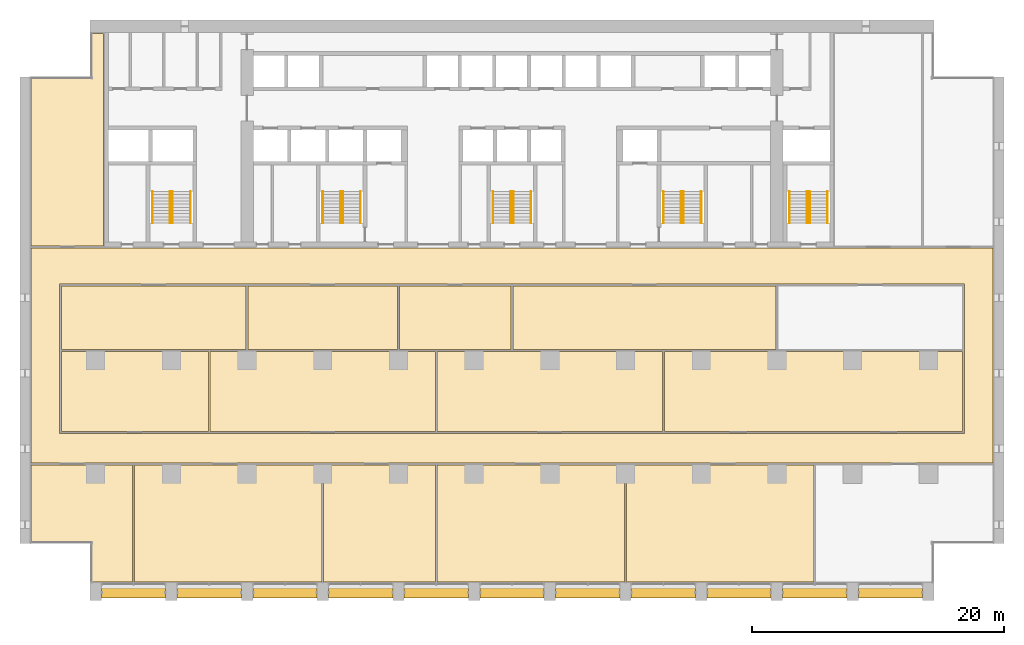
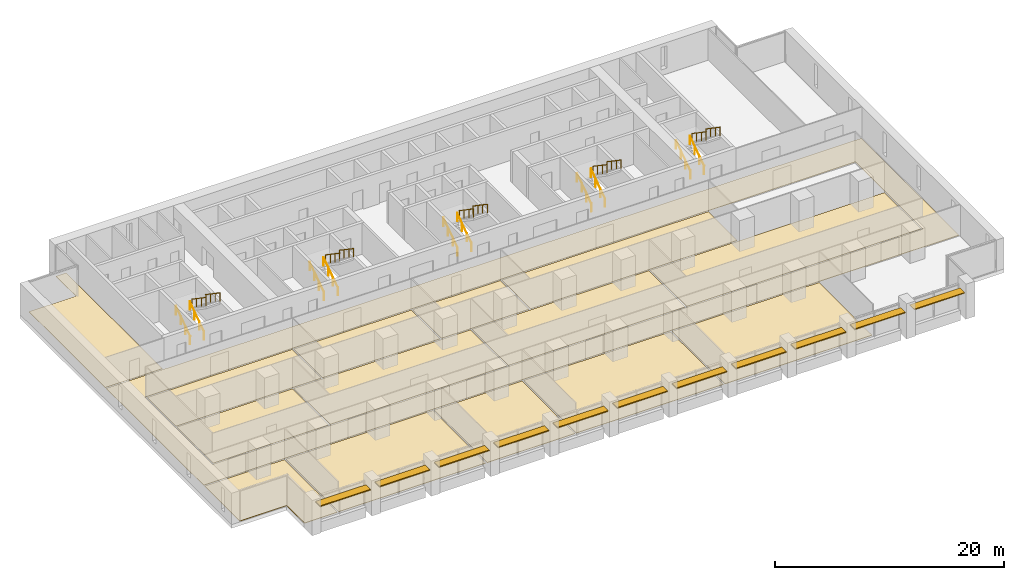
# One storey, part 17 of 18: 20 railings, 15 coverings, 11 shading devices, 5 elements without a shape of their own.
"""IFC4 building model written with IfcOpenShell, lengths in metres."""

from ifc_helpers import new_model, si_unit, direction, frame, origin, origin_2d, place, context, subcontext, project, spatial, polyline, rectangle, circle, outline, extrude, material, layer, layer_set, material_profile, profile_set, type_object, element, aggregate, save


model = new_model("IFC4")

# Units and contexts
model_context = context("Model", 3, precision=1e-05, world=origin(), true_north=direction((0.0, 1.0)))
body_context = subcontext(model_context, "Body", "Model", "MODEL_VIEW")
ifc_project = project(units=[si_unit("LENGTHUNIT", "METRE"), si_unit("AREAUNIT", "SQUARE_METRE"), si_unit("VOLUMEUNIT", "CUBIC_METRE"), si_unit("PLANEANGLEUNIT", "RADIAN"), si_unit("MASSUNIT", "GRAM", prefix="KILO")], contexts=[model_context])

# Site, building, storey
site_placement = place(None, origin())
site = spatial("IfcSite", under=ifc_project, at=site_placement, CompositionType="ELEMENT")
building_placement = place(site_placement, origin())
building = spatial("IfcBuilding", under=site, at=building_placement, Name="Calvaro Tower", CompositionType="ELEMENT")
storey_placement = place(building_placement, frame((0.0, 0.0, 82.5)))
storey = spatial("IfcBuildingStorey", under=building, at=storey_placement, Name="L20", CompositionType="ELEMENT", Elevation=82.5)

# Shading devices
ifc_material_1 = material(Name="Anodised aluminium", Category="aluminium")
ifc_material_profile = material_profile(ifc_material_1, rectangle(XDim=0.800048828125, YDim=0.10009765625, at=origin_2d()), Name="Brise-soleil blade 800 x 100")
ifc_profile_set = profile_set([ifc_material_profile], Name="Anodised aluminium")
shading_device_type = type_object("IfcShadingDeviceType", Name="Brise-soleil blade 800 x 100", PredefinedType="JALOUSIE", material=ifc_profile_set)
for number, where, z_axis, x_axis, name in (
    (1, (6.449951171875, 0.60009765625, 2.300048828125), (1.0, 0.0, 0.0), (0.0, 1.0, 0.0), "Brise-soleil blade 1"),
    (2, (12.449951171875, 0.60009765625, 2.300048828125), (1.0, 0.0, 0.0), (0.0, 1.0, 0.0), "Brise-soleil blade 2"),
    (3, (18.449951171875, 0.60009765625, 2.300048828125), (1.0, 0.0, 0.0), (0.0, 1.0, 0.0), "Brise-soleil blade 3"),
    (4, (24.449951171875, 0.60009765625, 2.300048828125), (1.0, 0.0, 0.0), (0.0, 1.0, 0.0), "Brise-soleil blade 4"),
    (5, (30.449951171875, 0.60009765625, 2.300048828125), (1.0, 0.0, 0.0), (0.0, 1.0, 0.0), "Brise-soleil blade 5"),
    (6, (36.449951171875, 0.60009765625, 2.300048828125), (1.0, 0.0, 0.0), (0.0, 1.0, 0.0), "Brise-soleil blade 6"),
    (7, (42.449951171875, 0.60009765625, 2.300048828125), (1.0, 0.0, 0.0), (0.0, 1.0, 0.0), "Brise-soleil blade 7"),
    (8, (48.449951171875, 0.60009765625, 2.300048828125), (1.0, 0.0, 0.0), (0.0, 1.0, 0.0), "Brise-soleil blade 8"),
    (9, (54.449951171875, 0.60009765625, 2.300048828125), (1.0, 0.0, 0.0), (0.0, 1.0, 0.0), "Brise-soleil blade 9"),
    (10, (60.449951171875, 0.60009765625, 2.300048828125), (1.0, 0.0, 0.0), (0.0, 1.0, 0.0), "Brise-soleil blade 10"),
    (11, (66.449951171875, 0.60009765625, 2.300048828125), (1.0, 0.0, 0.0), (0.0, 1.0, 0.0), "Brise-soleil blade 11"),
):
    element("IfcShadingDevice", number, at=place(storey_placement, frame(where, z_axis=z_axis, x_axis=x_axis)), inside=storey, type_object=shading_device_type, Name=name, PredefinedType="JALOUSIE", context=body_context, shape_type="SweptSolid", body=[
        extrude(rectangle(XDim=0.800048828125, YDim=0.10009765625, at=origin_2d()), origin(), (0.0, 0.0, 1.0), 5.10009765625),
    ])

# Coverings
ifc_material_2 = material(Name="Cement screed with carpet tile finish")
ifc_layer = layer(ifc_material_2, 0.050048828125)
ifc_layer_set = layer_set([ifc_layer], Name="Cement screed with carpet tile finish")
covering_type = type_object("IfcCoveringType", Name="Floor finish 50", PredefinedType="FLOORING", material=ifc_layer_set)
covering_1_placement = place(storey_placement, origin())
element("IfcCovering", 12, at=covering_1_placement, inside=storey, type_object=covering_type, Name="Floor finish 14.01", PredefinedType="FLOORING", context=body_context, shape_type="SweptSolid", body=[
    extrude(outline(polyline([(0.8701171875, 10.8701171875), (0.8701171875, 27.929931640625), (77.1298828125, 27.929931640625), (77.1298828125, 10.8701171875), (0.8701171875, 10.8701171875)]), holes=[polyline([(74.8701171875, 13.22998046875), (74.8701171875, 25.070068359375), (3.1298828125, 25.070068359375), (3.1298828125, 13.22998046875), (74.8701171875, 13.22998046875)])]), origin(), (0.0, 0.0, 1.0), 0.050048828125),
])
covering_2_placement = place(storey_placement, origin())
element("IfcCovering", 13, at=covering_2_placement, inside=storey, type_object=covering_type, Name="Floor finish 14.07", PredefinedType="FLOORING", context=body_context, shape_type="SweptSolid", body=[
    extrude(outline(polyline([(8.929931640625, 10.72998046875), (8.929931640625, 1.469970703125), (5.6201171875, 1.469970703125), (5.6201171875, 4.570068359375), (0.8701171875, 4.570068359375), (0.8701171875, 10.72998046875), (8.929931640625, 10.72998046875)])), origin(), (0.0, 0.0, 1.0), 0.050048828125),
])
covering_3_placement = place(storey_placement, origin())
element("IfcCovering", 14, at=covering_3_placement, inside=storey, type_object=covering_type, Name="Floor finish 14.02", PredefinedType="FLOORING", context=body_context, shape_type="SweptSolid", body=[
    extrude(outline(polyline([(9.070068359375, 10.72998046875), (23.929931640625, 10.72998046875), (23.929931640625, 1.469970703125), (9.070068359375, 1.469970703125), (9.070068359375, 10.72998046875)])), origin(), (0.0, 0.0, 1.0), 0.050048828125),
])
covering_4_placement = place(storey_placement, origin())
element("IfcCovering", 15, at=covering_4_placement, inside=storey, type_object=covering_type, Name="Floor finish 14.03", PredefinedType="FLOORING", context=body_context, shape_type="SweptSolid", body=[
    extrude(outline(polyline([(24.070068359375, 10.72998046875), (32.929931640625, 10.72998046875), (32.929931640625, 1.469970703125), (24.070068359375, 1.469970703125), (24.070068359375, 10.72998046875)])), origin(), (0.0, 0.0, 1.0), 0.050048828125),
])
covering_5_placement = place(storey_placement, origin())
element("IfcCovering", 16, at=covering_5_placement, inside=storey, type_object=covering_type, Name="Floor finish 14.04", PredefinedType="FLOORING", context=body_context, shape_type="SweptSolid", body=[
    extrude(outline(polyline([(33.070068359375, 10.72998046875), (47.929931640625, 10.72998046875), (47.929931640625, 1.469970703125), (33.070068359375, 1.469970703125), (33.070068359375, 10.72998046875)])), origin(), (0.0, 0.0, 1.0), 0.050048828125),
])
covering_6_placement = place(storey_placement, origin())
element("IfcCovering", 17, at=covering_6_placement, inside=storey, type_object=covering_type, Name="Floor finish 14.05", PredefinedType="FLOORING", context=body_context, shape_type="SweptSolid", body=[
    extrude(outline(polyline([(48.070068359375, 10.72998046875), (62.929931640625, 10.72998046875), (62.929931640625, 1.469970703125), (48.070068359375, 1.469970703125), (48.070068359375, 10.72998046875)])), origin(), (0.0, 0.0, 1.0), 0.050048828125),
])
covering_7_placement = place(storey_placement, origin())
element("IfcCovering", 18, at=covering_7_placement, inside=storey, type_object=covering_type, Name="Floor finish 14.08", PredefinedType="FLOORING", context=body_context, shape_type="SweptSolid", body=[
    extrude(outline(polyline([(3.27001953125, 13.3701171875), (3.27001953125, 19.72998046875), (14.929931640625, 19.72998046875), (14.929931640625, 13.3701171875), (3.27001953125, 13.3701171875)])), origin(), (0.0, 0.0, 1.0), 0.050048828125),
])
covering_8_placement = place(storey_placement, origin())
element("IfcCovering", 19, at=covering_8_placement, inside=storey, type_object=covering_type, Name="Floor finish 14.09", PredefinedType="FLOORING", context=body_context, shape_type="SweptSolid", body=[
    extrude(outline(polyline([(15.070068359375, 13.3701171875), (15.070068359375, 19.72998046875), (32.929931640625, 19.72998046875), (32.929931640625, 13.3701171875), (15.070068359375, 13.3701171875)])), origin(), (0.0, 0.0, 1.0), 0.050048828125),
])
covering_9_placement = place(storey_placement, origin())
element("IfcCovering", 20, at=covering_9_placement, inside=storey, type_object=covering_type, Name="Floor finish 14.10", PredefinedType="FLOORING", context=body_context, shape_type="SweptSolid", body=[
    extrude(outline(polyline([(33.070068359375, 13.3701171875), (33.070068359375, 19.72998046875), (50.929931640625, 19.72998046875), (50.929931640625, 13.3701171875), (33.070068359375, 13.3701171875)])), origin(), (0.0, 0.0, 1.0), 0.050048828125),
])
covering_10_placement = place(storey_placement, origin())
element("IfcCovering", 21, at=covering_10_placement, inside=storey, type_object=covering_type, Name="Floor finish 14.11", PredefinedType="FLOORING", context=body_context, shape_type="SweptSolid", body=[
    extrude(outline(polyline([(51.070068359375, 13.3701171875), (51.070068359375, 19.72998046875), (74.72998046875, 19.72998046875), (74.72998046875, 13.3701171875), (51.070068359375, 13.3701171875)])), origin(), (0.0, 0.0, 1.0), 0.050048828125),
])
covering_11_placement = place(storey_placement, origin())
element("IfcCovering", 22, at=covering_11_placement, inside=storey, type_object=covering_type, Name="Floor finish 14.12", PredefinedType="FLOORING", context=body_context, shape_type="SweptSolid", body=[
    extrude(outline(polyline([(3.27001953125, 19.8701171875), (3.27001953125, 24.929931640625), (17.929931640625, 24.929931640625), (17.929931640625, 19.8701171875), (3.27001953125, 19.8701171875)])), origin(), (0.0, 0.0, 1.0), 0.050048828125),
])
covering_12_placement = place(storey_placement, origin())
element("IfcCovering", 23, at=covering_12_placement, inside=storey, type_object=covering_type, Name="Floor finish 14.13", PredefinedType="FLOORING", context=body_context, shape_type="SweptSolid", body=[
    extrude(outline(polyline([(18.070068359375, 19.8701171875), (18.070068359375, 24.929931640625), (29.929931640625, 24.929931640625), (29.929931640625, 19.8701171875), (18.070068359375, 19.8701171875)])), origin(), (0.0, 0.0, 1.0), 0.050048828125),
])
covering_13_placement = place(storey_placement, origin())
element("IfcCovering", 24, at=covering_13_placement, inside=storey, type_object=covering_type, Name="Floor finish 14.14", PredefinedType="FLOORING", context=body_context, shape_type="SweptSolid", body=[
    extrude(outline(polyline([(30.070068359375, 19.8701171875), (30.070068359375, 24.929931640625), (38.929931640625, 24.929931640625), (38.929931640625, 19.8701171875), (30.070068359375, 19.8701171875)])), origin(), (0.0, 0.0, 1.0), 0.050048828125),
])
covering_14_placement = place(storey_placement, origin())
element("IfcCovering", 25, at=covering_14_placement, inside=storey, type_object=covering_type, Name="Floor finish 14.15", PredefinedType="FLOORING", context=body_context, shape_type="SweptSolid", body=[
    extrude(outline(polyline([(39.070068359375, 19.8701171875), (39.070068359375, 24.929931640625), (59.929931640625, 24.929931640625), (59.929931640625, 19.8701171875), (39.070068359375, 19.8701171875)])), origin(), (0.0, 0.0, 1.0), 0.050048828125),
])
covering_15_placement = place(storey_placement, origin())
element("IfcCovering", 26, at=covering_15_placement, inside=storey, type_object=covering_type, Name="Floor finish 14.18", PredefinedType="FLOORING", context=body_context, shape_type="SweptSolid", body=[
    extrude(outline(polyline([(6.6298828125, 28.070068359375), (0.8701171875, 28.070068359375), (0.8701171875, 41.429931640625), (5.6201171875, 41.429931640625), (5.6201171875, 44.929931640625), (6.6298828125, 44.929931640625), (6.6298828125, 28.070068359375)])), origin(), (0.0, 0.0, 1.0), 0.050048828125),
])

# Stair, railings
ifc_material_3 = material(Name="Concrete C40/50", Category="concrete")
stair_type = type_object("IfcStairType", Name="Exit stair 1400 2 flights", PredefinedType="HALF_TURN_STAIR", material=ifc_material_3)
stair_1_placement = place(storey_placement, origin())
stair_1 = element("IfcStair", 27, at=stair_1_placement, inside=storey, type_object=stair_type, Name="Exit stair S1", PredefinedType="HALF_TURN_STAIR")
ifc_material_4 = material(Name="Stainless steel", Category="steel")
railing_type = type_object("IfcRailingType", Name="Stair handrail", PredefinedType="HANDRAIL", material=ifc_material_4)
railing_1_placement = place(storey_placement, frame((11.89990234375, 29.89990234375, 0.17041015625)))
railing_1 = element("IfcRailing", 28, at=railing_1_placement, type_object=railing_type, Name="Exit stair 1 handrail", PredefinedType="HANDRAIL", context=body_context, shape_type="SweptSolid", body=[
    extrude(circle(Radius=0.02392578125, at=origin_2d()), frame((0.0, 0.0, 0.8759765625), z_axis=(0.0, 0.826220514629, 0.563346839174), x_axis=(-1.0, 0.0, 0.0)), (0.0, 0.0, 1.0), 3.02587890625),
    extrude(circle(Radius=0.02099609375, at=origin_2d()), frame((0.0, 0.017333984375, 0.01171875)), (0.0, 0.0, 1.0), 0.851806640625),
    extrude(circle(Radius=0.02099609375, at=origin_2d()), frame((0.0, 0.833251953125, 0.568115234375)), (0.0, 0.0, 1.0), 0.851806640625),
    extrude(circle(Radius=0.02099609375, at=origin_2d()), frame((0.0, 1.666748046875, 1.136474609375)), (0.0, 0.0, 1.0), 0.851806640625),
    extrude(circle(Radius=0.02099609375, at=origin_2d()), frame((0.0, 2.482666015625, 1.69287109375)), (0.0, 0.0, 1.0), 0.851806640625),
])
railing_2_placement = place(storey_placement, frame((10.5, 29.89990234375, 0.17041015625)))
railing_2 = element("IfcRailing", 29, at=railing_2_placement, type_object=railing_type, Name="Exit stair 1 handrail", PredefinedType="HANDRAIL", context=body_context, shape_type="SweptSolid", body=[
    extrude(circle(Radius=0.02392578125, at=origin_2d()), frame((0.0, 0.0, 0.8759765625), z_axis=(0.0, 0.826220514629, 0.563346839174), x_axis=(-1.0, 0.0, 0.0)), (0.0, 0.0, 1.0), 3.02587890625),
    extrude(circle(Radius=0.02099609375, at=origin_2d()), frame((0.0, 0.017333984375, 0.01171875)), (0.0, 0.0, 1.0), 0.851806640625),
    extrude(circle(Radius=0.02099609375, at=origin_2d()), frame((0.0, 0.833251953125, 0.568115234375)), (0.0, 0.0, 1.0), 0.851806640625),
    extrude(circle(Radius=0.02099609375, at=origin_2d()), frame((0.0, 1.666748046875, 1.136474609375)), (0.0, 0.0, 1.0), 0.851806640625),
    extrude(circle(Radius=0.02099609375, at=origin_2d()), frame((0.0, 2.482666015625, 1.69287109375)), (0.0, 0.0, 1.0), 0.851806640625),
])
railing_3_placement = place(storey_placement, frame((12.10009765625, 32.39990234375, 2.04541015625)))
railing_3 = element("IfcRailing", 30, at=railing_3_placement, type_object=railing_type, Name="Exit stair 1 handrail", PredefinedType="HANDRAIL", context=body_context, shape_type="SweptSolid", body=[
    extrude(circle(Radius=0.02392578125, at=origin_2d()), frame((0.0, 0.0, 0.8759765625), z_axis=(0.0, -0.826220514629, 0.563346839174), x_axis=(1.0, 0.0, 0.0)), (0.0, 0.0, 1.0), 3.02587890625),
    extrude(circle(Radius=0.02099609375, at=origin_2d()), frame((0.0, -0.017333984375, 0.01171875)), (0.0, 0.0, 1.0), 0.851806640625),
    extrude(circle(Radius=0.02099609375, at=origin_2d()), frame((0.0, -0.833251953125, 0.568115234375)), (0.0, 0.0, 1.0), 0.851806640625),
    extrude(circle(Radius=0.02099609375, at=origin_2d()), frame((0.0, -1.666748046875, 1.136474609375)), (0.0, 0.0, 1.0), 0.851806640625),
    extrude(circle(Radius=0.02099609375, at=origin_2d()), frame((0.0, -2.482666015625, 1.69287109375)), (0.0, 0.0, 1.0), 0.851806640625),
])
railing_4_placement = place(storey_placement, frame((13.5, 32.39990234375, 2.04541015625)))
railing_4 = element("IfcRailing", 31, at=railing_4_placement, type_object=railing_type, Name="Exit stair 1 handrail", PredefinedType="HANDRAIL", context=body_context, shape_type="SweptSolid", body=[
    extrude(circle(Radius=0.02392578125, at=origin_2d()), frame((0.0, 0.0, 0.8759765625), z_axis=(0.0, -0.826220514629, 0.563346839174), x_axis=(1.0, 0.0, 0.0)), (0.0, 0.0, 1.0), 3.02587890625),
    extrude(circle(Radius=0.02099609375, at=origin_2d()), frame((0.0, -0.017333984375, 0.01171875)), (0.0, 0.0, 1.0), 0.851806640625),
    extrude(circle(Radius=0.02099609375, at=origin_2d()), frame((0.0, -0.833251953125, 0.568115234375)), (0.0, 0.0, 1.0), 0.851806640625),
    extrude(circle(Radius=0.02099609375, at=origin_2d()), frame((0.0, -1.666748046875, 1.136474609375)), (0.0, 0.0, 1.0), 0.851806640625),
    extrude(circle(Radius=0.02099609375, at=origin_2d()), frame((0.0, -2.482666015625, 1.69287109375)), (0.0, 0.0, 1.0), 0.851806640625),
])
aggregate(stair_1, [railing_1, railing_2, railing_3, railing_4])

stair_2_placement = place(storey_placement, origin())
stair_2 = element("IfcStair", 32, at=stair_2_placement, inside=storey, type_object=stair_type, Name="Exit stair S2", PredefinedType="HALF_TURN_STAIR")
railing_5_placement = place(storey_placement, frame((25.39990234375, 29.89990234375, 0.17041015625)))
railing_5 = element("IfcRailing", 33, at=railing_5_placement, type_object=railing_type, Name="Exit stair 2 handrail", PredefinedType="HANDRAIL", context=body_context, shape_type="SweptSolid", body=[
    extrude(circle(Radius=0.02392578125, at=origin_2d()), frame((0.0, 0.0, 0.8759765625), z_axis=(0.0, 0.826220514629, 0.563346839174), x_axis=(-1.0, 0.0, 0.0)), (0.0, 0.0, 1.0), 3.02587890625),
    extrude(circle(Radius=0.02099609375, at=origin_2d()), frame((0.0, 0.017333984375, 0.01171875)), (0.0, 0.0, 1.0), 0.851806640625),
    extrude(circle(Radius=0.02099609375, at=origin_2d()), frame((0.0, 0.833251953125, 0.568115234375)), (0.0, 0.0, 1.0), 0.851806640625),
    extrude(circle(Radius=0.02099609375, at=origin_2d()), frame((0.0, 1.666748046875, 1.136474609375)), (0.0, 0.0, 1.0), 0.851806640625),
    extrude(circle(Radius=0.02099609375, at=origin_2d()), frame((0.0, 2.482666015625, 1.69287109375)), (0.0, 0.0, 1.0), 0.851806640625),
])
railing_6_placement = place(storey_placement, frame((24.0, 29.89990234375, 0.17041015625)))
railing_6 = element("IfcRailing", 34, at=railing_6_placement, type_object=railing_type, Name="Exit stair 2 handrail", PredefinedType="HANDRAIL", context=body_context, shape_type="SweptSolid", body=[
    extrude(circle(Radius=0.02392578125, at=origin_2d()), frame((0.0, 0.0, 0.8759765625), z_axis=(0.0, 0.826220514629, 0.563346839174), x_axis=(-1.0, 0.0, 0.0)), (0.0, 0.0, 1.0), 3.02587890625),
    extrude(circle(Radius=0.02099609375, at=origin_2d()), frame((0.0, 0.017333984375, 0.01171875)), (0.0, 0.0, 1.0), 0.851806640625),
    extrude(circle(Radius=0.02099609375, at=origin_2d()), frame((0.0, 0.833251953125, 0.568115234375)), (0.0, 0.0, 1.0), 0.851806640625),
    extrude(circle(Radius=0.02099609375, at=origin_2d()), frame((0.0, 1.666748046875, 1.136474609375)), (0.0, 0.0, 1.0), 0.851806640625),
    extrude(circle(Radius=0.02099609375, at=origin_2d()), frame((0.0, 2.482666015625, 1.69287109375)), (0.0, 0.0, 1.0), 0.851806640625),
])
railing_7_placement = place(storey_placement, frame((25.60009765625, 32.39990234375, 2.04541015625)))
railing_7 = element("IfcRailing", 35, at=railing_7_placement, type_object=railing_type, Name="Exit stair 2 handrail", PredefinedType="HANDRAIL", context=body_context, shape_type="SweptSolid", body=[
    extrude(circle(Radius=0.02392578125, at=origin_2d()), frame((0.0, 0.0, 0.8759765625), z_axis=(0.0, -0.826220514629, 0.563346839174), x_axis=(1.0, 0.0, 0.0)), (0.0, 0.0, 1.0), 3.02587890625),
    extrude(circle(Radius=0.02099609375, at=origin_2d()), frame((0.0, -0.017333984375, 0.01171875)), (0.0, 0.0, 1.0), 0.851806640625),
    extrude(circle(Radius=0.02099609375, at=origin_2d()), frame((0.0, -0.833251953125, 0.568115234375)), (0.0, 0.0, 1.0), 0.851806640625),
    extrude(circle(Radius=0.02099609375, at=origin_2d()), frame((0.0, -1.666748046875, 1.136474609375)), (0.0, 0.0, 1.0), 0.851806640625),
    extrude(circle(Radius=0.02099609375, at=origin_2d()), frame((0.0, -2.482666015625, 1.69287109375)), (0.0, 0.0, 1.0), 0.851806640625),
])
railing_8_placement = place(storey_placement, frame((27.0, 32.39990234375, 2.04541015625)))
railing_8 = element("IfcRailing", 36, at=railing_8_placement, type_object=railing_type, Name="Exit stair 2 handrail", PredefinedType="HANDRAIL", context=body_context, shape_type="SweptSolid", body=[
    extrude(circle(Radius=0.02392578125, at=origin_2d()), frame((0.0, 0.0, 0.8759765625), z_axis=(0.0, -0.826220514629, 0.563346839174), x_axis=(1.0, 0.0, 0.0)), (0.0, 0.0, 1.0), 3.02587890625),
    extrude(circle(Radius=0.02099609375, at=origin_2d()), frame((0.0, -0.017333984375, 0.01171875)), (0.0, 0.0, 1.0), 0.851806640625),
    extrude(circle(Radius=0.02099609375, at=origin_2d()), frame((0.0, -0.833251953125, 0.568115234375)), (0.0, 0.0, 1.0), 0.851806640625),
    extrude(circle(Radius=0.02099609375, at=origin_2d()), frame((0.0, -1.666748046875, 1.136474609375)), (0.0, 0.0, 1.0), 0.851806640625),
    extrude(circle(Radius=0.02099609375, at=origin_2d()), frame((0.0, -2.482666015625, 1.69287109375)), (0.0, 0.0, 1.0), 0.851806640625),
])
aggregate(stair_2, [railing_5, railing_6, railing_7, railing_8])

stair_3_placement = place(storey_placement, origin())
stair_3 = element("IfcStair", 37, at=stair_3_placement, inside=storey, type_object=stair_type, Name="Exit stair S3", PredefinedType="HALF_TURN_STAIR")
railing_9_placement = place(storey_placement, frame((38.89990234375, 29.89990234375, 0.17041015625)))
railing_9 = element("IfcRailing", 38, at=railing_9_placement, type_object=railing_type, Name="Exit stair 3 handrail", PredefinedType="HANDRAIL", context=body_context, shape_type="SweptSolid", body=[
    extrude(circle(Radius=0.02392578125, at=origin_2d()), frame((0.0, 0.0, 0.8759765625), z_axis=(0.0, 0.826220514629, 0.563346839174), x_axis=(-1.0, 0.0, 0.0)), (0.0, 0.0, 1.0), 3.02587890625),
    extrude(circle(Radius=0.02099609375, at=origin_2d()), frame((0.0, 0.017333984375, 0.01171875)), (0.0, 0.0, 1.0), 0.851806640625),
    extrude(circle(Radius=0.02099609375, at=origin_2d()), frame((0.0, 0.833251953125, 0.568115234375)), (0.0, 0.0, 1.0), 0.851806640625),
    extrude(circle(Radius=0.02099609375, at=origin_2d()), frame((0.0, 1.666748046875, 1.136474609375)), (0.0, 0.0, 1.0), 0.851806640625),
    extrude(circle(Radius=0.02099609375, at=origin_2d()), frame((0.0, 2.482666015625, 1.69287109375)), (0.0, 0.0, 1.0), 0.851806640625),
])
railing_10_placement = place(storey_placement, frame((37.5, 29.89990234375, 0.17041015625)))
railing_10 = element("IfcRailing", 39, at=railing_10_placement, type_object=railing_type, Name="Exit stair 3 handrail", PredefinedType="HANDRAIL", context=body_context, shape_type="SweptSolid", body=[
    extrude(circle(Radius=0.02392578125, at=origin_2d()), frame((0.0, 0.0, 0.8759765625), z_axis=(0.0, 0.826220514629, 0.563346839174), x_axis=(-1.0, 0.0, 0.0)), (0.0, 0.0, 1.0), 3.02587890625),
    extrude(circle(Radius=0.02099609375, at=origin_2d()), frame((0.0, 0.017333984375, 0.01171875)), (0.0, 0.0, 1.0), 0.851806640625),
    extrude(circle(Radius=0.02099609375, at=origin_2d()), frame((0.0, 0.833251953125, 0.568115234375)), (0.0, 0.0, 1.0), 0.851806640625),
    extrude(circle(Radius=0.02099609375, at=origin_2d()), frame((0.0, 1.666748046875, 1.136474609375)), (0.0, 0.0, 1.0), 0.851806640625),
    extrude(circle(Radius=0.02099609375, at=origin_2d()), frame((0.0, 2.482666015625, 1.69287109375)), (0.0, 0.0, 1.0), 0.851806640625),
])
railing_11_placement = place(storey_placement, frame((39.10009765625, 32.39990234375, 2.04541015625)))
railing_11 = element("IfcRailing", 40, at=railing_11_placement, type_object=railing_type, Name="Exit stair 3 handrail", PredefinedType="HANDRAIL", context=body_context, shape_type="SweptSolid", body=[
    extrude(circle(Radius=0.02392578125, at=origin_2d()), frame((0.0, 0.0, 0.8759765625), z_axis=(0.0, -0.826220514629, 0.563346839174), x_axis=(1.0, 0.0, 0.0)), (0.0, 0.0, 1.0), 3.02587890625),
    extrude(circle(Radius=0.02099609375, at=origin_2d()), frame((0.0, -0.017333984375, 0.01171875)), (0.0, 0.0, 1.0), 0.851806640625),
    extrude(circle(Radius=0.02099609375, at=origin_2d()), frame((0.0, -0.833251953125, 0.568115234375)), (0.0, 0.0, 1.0), 0.851806640625),
    extrude(circle(Radius=0.02099609375, at=origin_2d()), frame((0.0, -1.666748046875, 1.136474609375)), (0.0, 0.0, 1.0), 0.851806640625),
    extrude(circle(Radius=0.02099609375, at=origin_2d()), frame((0.0, -2.482666015625, 1.69287109375)), (0.0, 0.0, 1.0), 0.851806640625),
])
railing_12_placement = place(storey_placement, frame((40.5, 32.39990234375, 2.04541015625)))
railing_12 = element("IfcRailing", 41, at=railing_12_placement, type_object=railing_type, Name="Exit stair 3 handrail", PredefinedType="HANDRAIL", context=body_context, shape_type="SweptSolid", body=[
    extrude(circle(Radius=0.02392578125, at=origin_2d()), frame((0.0, 0.0, 0.8759765625), z_axis=(0.0, -0.826220514629, 0.563346839174), x_axis=(1.0, 0.0, 0.0)), (0.0, 0.0, 1.0), 3.02587890625),
    extrude(circle(Radius=0.02099609375, at=origin_2d()), frame((0.0, -0.017333984375, 0.01171875)), (0.0, 0.0, 1.0), 0.851806640625),
    extrude(circle(Radius=0.02099609375, at=origin_2d()), frame((0.0, -0.833251953125, 0.568115234375)), (0.0, 0.0, 1.0), 0.851806640625),
    extrude(circle(Radius=0.02099609375, at=origin_2d()), frame((0.0, -1.666748046875, 1.136474609375)), (0.0, 0.0, 1.0), 0.851806640625),
    extrude(circle(Radius=0.02099609375, at=origin_2d()), frame((0.0, -2.482666015625, 1.69287109375)), (0.0, 0.0, 1.0), 0.851806640625),
])
aggregate(stair_3, [railing_9, railing_10, railing_11, railing_12])

stair_4_placement = place(storey_placement, origin())
stair_4 = element("IfcStair", 42, at=stair_4_placement, inside=storey, type_object=stair_type, Name="Exit stair S4", PredefinedType="HALF_TURN_STAIR")
railing_13_placement = place(storey_placement, frame((52.39990234375, 29.89990234375, 0.17041015625)))
railing_13 = element("IfcRailing", 43, at=railing_13_placement, type_object=railing_type, Name="Exit stair 4 handrail", PredefinedType="HANDRAIL", context=body_context, shape_type="SweptSolid", body=[
    extrude(circle(Radius=0.02392578125, at=origin_2d()), frame((0.0, 0.0, 0.8759765625), z_axis=(0.0, 0.826220514629, 0.563346839174), x_axis=(-1.0, 0.0, 0.0)), (0.0, 0.0, 1.0), 3.02587890625),
    extrude(circle(Radius=0.02099609375, at=origin_2d()), frame((0.0, 0.017333984375, 0.01171875)), (0.0, 0.0, 1.0), 0.851806640625),
    extrude(circle(Radius=0.02099609375, at=origin_2d()), frame((0.0, 0.833251953125, 0.568115234375)), (0.0, 0.0, 1.0), 0.851806640625),
    extrude(circle(Radius=0.02099609375, at=origin_2d()), frame((0.0, 1.666748046875, 1.136474609375)), (0.0, 0.0, 1.0), 0.851806640625),
    extrude(circle(Radius=0.02099609375, at=origin_2d()), frame((0.0, 2.482666015625, 1.69287109375)), (0.0, 0.0, 1.0), 0.851806640625),
])
railing_14_placement = place(storey_placement, frame((51.0, 29.89990234375, 0.17041015625)))
railing_14 = element("IfcRailing", 44, at=railing_14_placement, type_object=railing_type, Name="Exit stair 4 handrail", PredefinedType="HANDRAIL", context=body_context, shape_type="SweptSolid", body=[
    extrude(circle(Radius=0.02392578125, at=origin_2d()), frame((0.0, 0.0, 0.8759765625), z_axis=(0.0, 0.826220514629, 0.563346839174), x_axis=(-1.0, 0.0, 0.0)), (0.0, 0.0, 1.0), 3.02587890625),
    extrude(circle(Radius=0.02099609375, at=origin_2d()), frame((0.0, 0.017333984375, 0.01171875)), (0.0, 0.0, 1.0), 0.851806640625),
    extrude(circle(Radius=0.02099609375, at=origin_2d()), frame((0.0, 0.833251953125, 0.568115234375)), (0.0, 0.0, 1.0), 0.851806640625),
    extrude(circle(Radius=0.02099609375, at=origin_2d()), frame((0.0, 1.666748046875, 1.136474609375)), (0.0, 0.0, 1.0), 0.851806640625),
    extrude(circle(Radius=0.02099609375, at=origin_2d()), frame((0.0, 2.482666015625, 1.69287109375)), (0.0, 0.0, 1.0), 0.851806640625),
])
railing_15_placement = place(storey_placement, frame((52.60009765625, 32.39990234375, 2.04541015625)))
railing_15 = element("IfcRailing", 45, at=railing_15_placement, type_object=railing_type, Name="Exit stair 4 handrail", PredefinedType="HANDRAIL", context=body_context, shape_type="SweptSolid", body=[
    extrude(circle(Radius=0.02392578125, at=origin_2d()), frame((0.0, 0.0, 0.8759765625), z_axis=(0.0, -0.826220514629, 0.563346839174), x_axis=(1.0, 0.0, 0.0)), (0.0, 0.0, 1.0), 3.02587890625),
    extrude(circle(Radius=0.02099609375, at=origin_2d()), frame((0.0, -0.017333984375, 0.01171875)), (0.0, 0.0, 1.0), 0.851806640625),
    extrude(circle(Radius=0.02099609375, at=origin_2d()), frame((0.0, -0.833251953125, 0.568115234375)), (0.0, 0.0, 1.0), 0.851806640625),
    extrude(circle(Radius=0.02099609375, at=origin_2d()), frame((0.0, -1.666748046875, 1.136474609375)), (0.0, 0.0, 1.0), 0.851806640625),
    extrude(circle(Radius=0.02099609375, at=origin_2d()), frame((0.0, -2.482666015625, 1.69287109375)), (0.0, 0.0, 1.0), 0.851806640625),
])
railing_16_placement = place(storey_placement, frame((54.0, 32.39990234375, 2.04541015625)))
railing_16 = element("IfcRailing", 46, at=railing_16_placement, type_object=railing_type, Name="Exit stair 4 handrail", PredefinedType="HANDRAIL", context=body_context, shape_type="SweptSolid", body=[
    extrude(circle(Radius=0.02392578125, at=origin_2d()), frame((0.0, 0.0, 0.8759765625), z_axis=(0.0, -0.826220514629, 0.563346839174), x_axis=(1.0, 0.0, 0.0)), (0.0, 0.0, 1.0), 3.02587890625),
    extrude(circle(Radius=0.02099609375, at=origin_2d()), frame((0.0, -0.017333984375, 0.01171875)), (0.0, 0.0, 1.0), 0.851806640625),
    extrude(circle(Radius=0.02099609375, at=origin_2d()), frame((0.0, -0.833251953125, 0.568115234375)), (0.0, 0.0, 1.0), 0.851806640625),
    extrude(circle(Radius=0.02099609375, at=origin_2d()), frame((0.0, -1.666748046875, 1.136474609375)), (0.0, 0.0, 1.0), 0.851806640625),
    extrude(circle(Radius=0.02099609375, at=origin_2d()), frame((0.0, -2.482666015625, 1.69287109375)), (0.0, 0.0, 1.0), 0.851806640625),
])
aggregate(stair_4, [railing_13, railing_14, railing_15, railing_16])

stair_5_placement = place(storey_placement, origin())
stair_5 = element("IfcStair", 47, at=stair_5_placement, inside=storey, type_object=stair_type, Name="Exit stair S5", PredefinedType="HALF_TURN_STAIR")
railing_17_placement = place(storey_placement, frame((62.39990234375, 29.89990234375, 0.17041015625)))
railing_17 = element("IfcRailing", 48, at=railing_17_placement, type_object=railing_type, Name="Exit stair 5 handrail", PredefinedType="HANDRAIL", context=body_context, shape_type="SweptSolid", body=[
    extrude(circle(Radius=0.02392578125, at=origin_2d()), frame((0.0, 0.0, 0.8759765625), z_axis=(0.0, 0.826220514629, 0.563346839174), x_axis=(-1.0, 0.0, 0.0)), (0.0, 0.0, 1.0), 3.02587890625),
    extrude(circle(Radius=0.02099609375, at=origin_2d()), frame((0.0, 0.017333984375, 0.01171875)), (0.0, 0.0, 1.0), 0.851806640625),
    extrude(circle(Radius=0.02099609375, at=origin_2d()), frame((0.0, 0.833251953125, 0.568115234375)), (0.0, 0.0, 1.0), 0.851806640625),
    extrude(circle(Radius=0.02099609375, at=origin_2d()), frame((0.0, 1.666748046875, 1.136474609375)), (0.0, 0.0, 1.0), 0.851806640625),
    extrude(circle(Radius=0.02099609375, at=origin_2d()), frame((0.0, 2.482666015625, 1.69287109375)), (0.0, 0.0, 1.0), 0.851806640625),
])
railing_18_placement = place(storey_placement, frame((61.0, 29.89990234375, 0.17041015625)))
railing_18 = element("IfcRailing", 49, at=railing_18_placement, type_object=railing_type, Name="Exit stair 5 handrail", PredefinedType="HANDRAIL", context=body_context, shape_type="SweptSolid", body=[
    extrude(circle(Radius=0.02392578125, at=origin_2d()), frame((0.0, 0.0, 0.8759765625), z_axis=(0.0, 0.826220514629, 0.563346839174), x_axis=(-1.0, 0.0, 0.0)), (0.0, 0.0, 1.0), 3.02587890625),
    extrude(circle(Radius=0.02099609375, at=origin_2d()), frame((0.0, 0.017333984375, 0.01171875)), (0.0, 0.0, 1.0), 0.851806640625),
    extrude(circle(Radius=0.02099609375, at=origin_2d()), frame((0.0, 0.833251953125, 0.568115234375)), (0.0, 0.0, 1.0), 0.851806640625),
    extrude(circle(Radius=0.02099609375, at=origin_2d()), frame((0.0, 1.666748046875, 1.136474609375)), (0.0, 0.0, 1.0), 0.851806640625),
    extrude(circle(Radius=0.02099609375, at=origin_2d()), frame((0.0, 2.482666015625, 1.69287109375)), (0.0, 0.0, 1.0), 0.851806640625),
])
railing_19_placement = place(storey_placement, frame((62.60009765625, 32.39990234375, 2.04541015625)))
railing_19 = element("IfcRailing", 50, at=railing_19_placement, type_object=railing_type, Name="Exit stair 5 handrail", PredefinedType="HANDRAIL", context=body_context, shape_type="SweptSolid", body=[
    extrude(circle(Radius=0.02392578125, at=origin_2d()), frame((0.0, 0.0, 0.8759765625), z_axis=(0.0, -0.826220514629, 0.563346839174), x_axis=(1.0, 0.0, 0.0)), (0.0, 0.0, 1.0), 3.02587890625),
    extrude(circle(Radius=0.02099609375, at=origin_2d()), frame((0.0, -0.017333984375, 0.01171875)), (0.0, 0.0, 1.0), 0.851806640625),
    extrude(circle(Radius=0.02099609375, at=origin_2d()), frame((0.0, -0.833251953125, 0.568115234375)), (0.0, 0.0, 1.0), 0.851806640625),
    extrude(circle(Radius=0.02099609375, at=origin_2d()), frame((0.0, -1.666748046875, 1.136474609375)), (0.0, 0.0, 1.0), 0.851806640625),
    extrude(circle(Radius=0.02099609375, at=origin_2d()), frame((0.0, -2.482666015625, 1.69287109375)), (0.0, 0.0, 1.0), 0.851806640625),
])
railing_20_placement = place(storey_placement, frame((64.0, 32.39990234375, 2.04541015625)))
railing_20 = element("IfcRailing", 51, at=railing_20_placement, type_object=railing_type, Name="Exit stair 5 handrail", PredefinedType="HANDRAIL", context=body_context, shape_type="SweptSolid", body=[
    extrude(circle(Radius=0.02392578125, at=origin_2d()), frame((0.0, 0.0, 0.8759765625), z_axis=(0.0, -0.826220514629, 0.563346839174), x_axis=(1.0, 0.0, 0.0)), (0.0, 0.0, 1.0), 3.02587890625),
    extrude(circle(Radius=0.02099609375, at=origin_2d()), frame((0.0, -0.017333984375, 0.01171875)), (0.0, 0.0, 1.0), 0.851806640625),
    extrude(circle(Radius=0.02099609375, at=origin_2d()), frame((0.0, -0.833251953125, 0.568115234375)), (0.0, 0.0, 1.0), 0.851806640625),
    extrude(circle(Radius=0.02099609375, at=origin_2d()), frame((0.0, -1.666748046875, 1.136474609375)), (0.0, 0.0, 1.0), 0.851806640625),
    extrude(circle(Radius=0.02099609375, at=origin_2d()), frame((0.0, -2.482666015625, 1.69287109375)), (0.0, 0.0, 1.0), 0.851806640625),
])
aggregate(stair_5, [railing_17, railing_18, railing_19, railing_20])

save(model, "model.ifc")
